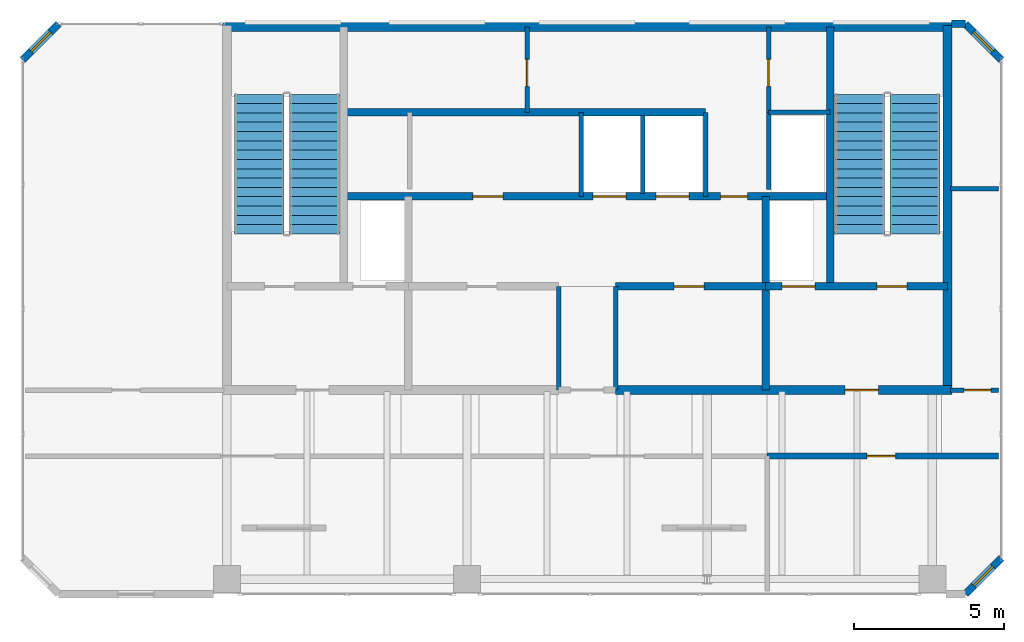
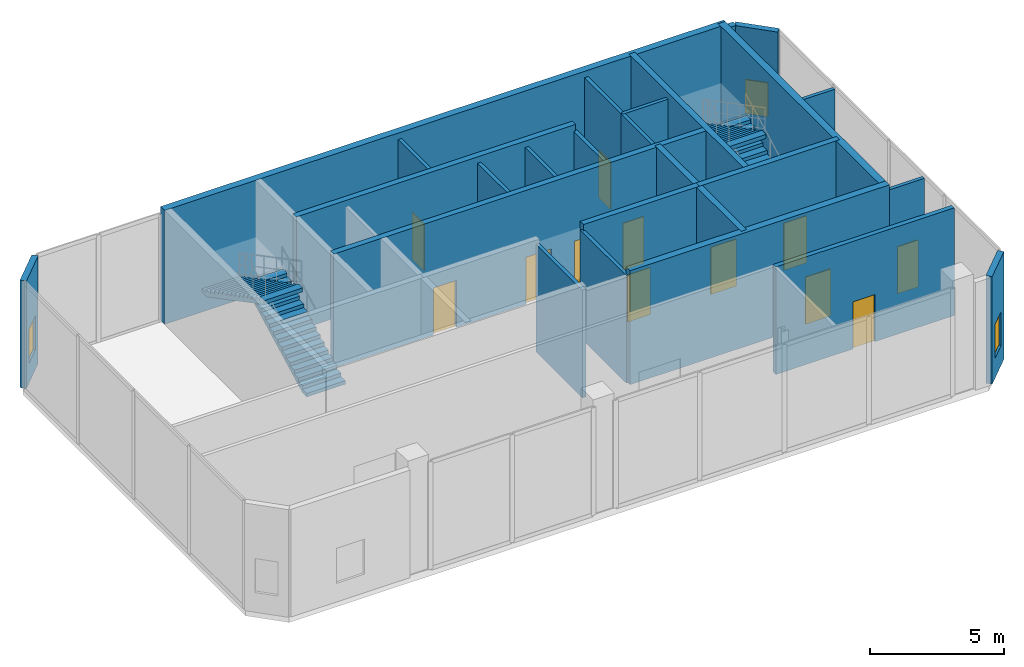
# One storey, part 9 of 10: 25 walls, 12 doors, 4 stair flights, 3 windows, 15 openings, 2 elements without a shape of their own.
"""IFC4 building model written with IfcOpenShell, lengths in metres."""

from ifc_helpers import new_model, si_unit, direction, frame, frame_2d, origin, place, context, subcontext, project, spatial, polyline, rectangle, outline, extrude, material, layer, layer_set, type_object, element, fill, aggregate, save


model = new_model("IFC4")

# Units and contexts
model_context = context("Model", 3, precision=1e-05, world=origin(), true_north=direction((0.0, 1.0)))
body_context = subcontext(model_context, "Body", "Model", "MODEL_VIEW")
ifc_project = project(units=[si_unit("LENGTHUNIT", "METRE"), si_unit("AREAUNIT", "SQUARE_METRE"), si_unit("VOLUMEUNIT", "CUBIC_METRE"), si_unit("PLANEANGLEUNIT", "RADIAN"), si_unit("MASSUNIT", "GRAM", prefix="KILO")], contexts=[model_context])

# Site, building, storey
site_placement = place(None, origin())
site = spatial("IfcSite", under=ifc_project, at=site_placement, CompositionType="ELEMENT")
building_placement = place(site_placement, origin())
building = spatial("IfcBuilding", under=site, at=building_placement, Name="Catumbela Crestline Tower", CompositionType="ELEMENT")
storey_placement = place(building_placement, frame((0.0, 0.0, 295.8)))
storey = spatial("IfcBuildingStorey", under=building, at=storey_placement, Name="L76", CompositionType="ELEMENT", Elevation=295.8)

# Walls
ifc_material_1 = material(Name="Concrete C50/60", Category="concrete")
ifc_layer_1 = layer(ifc_material_1, 0.25, Name="Concrete C50/60")
ifc_layer_set_1 = layer_set([ifc_layer_1], Name="Concrete C50/60")
wall_type_1 = type_object("IfcWallType", Name="CW-250D", PredefinedType="SHEAR", material=ifc_layer_set_1)
wall_1_placement = place(storey_placement, frame((36.1, 34.25, 0.0), z_axis=(0.0, 0.0, 1.0), x_axis=(0.0, 1.0, 0.0)))
element("IfcWall", 1, at=wall_1_placement, inside=storey, type_object=wall_type_1, Name="L76 Structural Core Shear Wall EWEB", PredefinedType="SHEAR", context=body_context, shape_type="SweptSolid", body=[
    extrude(rectangle(XDim=8.65, YDim=0.25, at=frame_2d((4.325, 0.0))), origin(), (0.0, 0.0, 1.0), 5.2),
])
wall_2_placement = place(storey_placement, frame((33.95, 30.8, 0.0), z_axis=(0.0, 0.0, 1.0), x_axis=(0.0, 1.0, 0.0)))
element("IfcWall", 2, at=wall_2_placement, inside=storey, type_object=wall_type_1, Name="L76 Structural Core Shear Wall FFE", PredefinedType="SHEAR", context=body_context, shape_type="SweptSolid", body=[
    extrude(rectangle(XDim=6.45, YDim=0.25, at=frame_2d((3.225, 0.0))), origin(), (0.0, 0.0, 1.0), 5.2),
])

# Wall, openings, doors
wall_3_placement = place(storey_placement, frame((33.95, 34.25, 0.0), z_axis=(0.0, 0.0, 1.0), x_axis=(1.0, 0.0, 0.0)))
wall_3 = element("IfcWall", 3, at=wall_3_placement, inside=storey, type_object=wall_type_1, Name="L76 Structural Core Shear Wall ST2S", PredefinedType="SHEAR", context=body_context, shape_type="SweptSolid", body=[
    extrude(rectangle(XDim=6.05, YDim=0.25, at=frame_2d((3.025, 0.0))), origin(), (0.0, 0.0, 1.0), 5.2),
])
opening_1_placement = place(wall_3_placement, frame((3.7, 0.0, 0.0)))
opening_1 = element("IfcOpeningElement", 4, at=opening_1_placement, cuts=wall_3, Name="Opening DF9-100", PredefinedType="OPENING", context=body_context, shape_type="SweptSolid", body=[
    extrude(rectangle(XDim=1.0, YDim=2.15, at=frame_2d((0.5, 1.075))), frame((0.0, 0.135, 0.0), z_axis=(0.0, -1.0, 0.0), x_axis=(1.0, 0.0, 0.0)), (0.0, 0.0, 1.0), 0.27),
])
opening_2_placement = place(wall_3_placement, frame((0.55, 0.0, 0.0)))
opening_2 = element("IfcOpeningElement", 5, at=opening_2_placement, cuts=wall_3, Name="Opening LD-110", PredefinedType="OPENING", context=body_context, shape_type="SweptSolid", body=[
    extrude(rectangle(XDim=1.1, YDim=2.15, at=frame_2d((0.55, 1.075))), frame((0.0, 0.135, 0.0), z_axis=(0.0, -1.0, 0.0), x_axis=(1.0, 0.0, 0.0)), (0.0, 0.0, 1.0), 0.27),
])
ifc_material_2 = material(Name="Stainless steel EN 1.4401", Category="steel")
door_type_1 = type_object("IfcDoorType", Name="DF9-100", OperationType="NOTDEFINED", PredefinedType="DOOR", material=ifc_material_2)
door_1_placement = place(opening_1_placement, origin())
door_1 = element("IfcDoor", 6, at=door_1_placement, inside=storey, type_object=door_type_1, Name="L76 Interior Door DR-L76-ST02", OperationType="SINGLE_SWING_RIGHT", OverallHeight=2.15, OverallWidth=1.0, PredefinedType="DOOR", context=body_context, shape_type="SweptSolid", body=[
    extrude(rectangle(XDim=1.0, YDim=2.15, at=frame_2d((0.5, 1.075))), frame((0.0, 0.025, 0.0), z_axis=(0.0, -1.0, 0.0), x_axis=(1.0, 0.0, 0.0)), (0.0, 0.0, 1.0), 0.05),
])
fill(opening_1, door_1)
door_type_2 = type_object("IfcDoorType", Name="LD-110", OperationType="NOTDEFINED", PredefinedType="DOOR", material=ifc_material_2)
door_2_placement = place(opening_2_placement, origin())
door_2 = element("IfcDoor", 7, at=door_2_placement, inside=storey, type_object=door_type_2, Name="L76 Lift Landing Sliding Door FL-02", OperationType="DOUBLE_DOOR_SLIDING", OverallHeight=2.15, OverallWidth=1.1, PredefinedType="DOOR", context=body_context, shape_type="SweptSolid", body=[
    extrude(rectangle(XDim=1.1, YDim=2.15, at=frame_2d((0.55, 1.075))), frame((0.0, 0.025, 0.0), z_axis=(0.0, -1.0, 0.0), x_axis=(1.0, 0.0, 0.0)), (0.0, 0.0, 1.0), 0.05),
])
fill(opening_2, door_2)

# Wall, opening, door
wall_4_placement = place(storey_placement, frame((28.95, 34.25, 0.0), z_axis=(0.0, 0.0, 1.0), x_axis=(1.0, 0.0, 0.0)))
wall_4 = element("IfcWall", 8, at=wall_4_placement, inside=storey, type_object=wall_type_1, Name="L76 Structural Core Shear Wall LIFTS-E", PredefinedType="SHEAR", context=body_context, shape_type="SweptSolid", body=[
    extrude(rectangle(XDim=5.0, YDim=0.25, at=frame_2d((2.5, 0.0))), origin(), (0.0, 0.0, 1.0), 5.2),
])
opening_3_placement = place(wall_4_placement, frame((1.95, 0.0, 0.0)))
opening_3 = element("IfcOpeningElement", 9, at=opening_3_placement, cuts=wall_4, Name="Opening DF9-100", PredefinedType="OPENING", context=body_context, shape_type="SweptSolid", body=[
    extrude(rectangle(XDim=1.0, YDim=2.15, at=frame_2d((0.5, 1.075))), frame((0.0, 0.135, 0.0), z_axis=(0.0, -1.0, 0.0), x_axis=(1.0, 0.0, 0.0)), (0.0, 0.0, 1.0), 0.27),
])
door_3_placement = place(opening_3_placement, origin())
door_3 = element("IfcDoor", 10, at=door_3_placement, inside=storey, type_object=door_type_1, Name="L76 Interior Door DR-L76-RECL2", OperationType="SINGLE_SWING_RIGHT", OverallHeight=2.15, OverallWidth=1.0, PredefinedType="DOOR", context=body_context, shape_type="SweptSolid", body=[
    extrude(rectangle(XDim=1.0, YDim=2.15, at=frame_2d((0.5, 1.075))), frame((0.0, 0.025, 0.0), z_axis=(0.0, -1.0, 0.0), x_axis=(1.0, 0.0, 0.0)), (0.0, 0.0, 1.0), 0.05),
])
fill(opening_3, door_3)

# Wall, openings, doors
wall_5_placement = place(storey_placement, frame((19.9, 37.25, 0.0), z_axis=(0.0, 0.0, 1.0), x_axis=(1.0, 0.0, 0.0)))
wall_5 = element("IfcWall", 11, at=wall_5_placement, inside=storey, type_object=wall_type_1, Name="L76 Structural Core Shear Wall LIFTN", PredefinedType="SHEAR", context=body_context, shape_type="SweptSolid", body=[
    extrude(rectangle(XDim=16.2, YDim=0.25, at=frame_2d((8.1, 0.0))), origin(), (0.0, 0.0, 1.0), 5.2),
])
opening_4_placement = place(wall_5_placement, frame((4.3, 0.0, 0.0)))
opening_4 = element("IfcOpeningElement", 12, at=opening_4_placement, cuts=wall_5, Name="Opening DF9-100", PredefinedType="OPENING", context=body_context, shape_type="SweptSolid", body=[
    extrude(rectangle(XDim=1.0, YDim=2.15, at=frame_2d((0.5, 1.075))), frame((0.0, 0.135, 0.0), z_axis=(0.0, -1.0, 0.0), x_axis=(1.0, 0.0, 0.0)), (0.0, 0.0, 1.0), 0.27),
])
opening_5_placement = place(wall_5_placement, frame((12.55, 0.0, 0.0)))
opening_5 = element("IfcOpeningElement", 13, at=opening_5_placement, cuts=wall_5, Name="Opening DF9-090", PredefinedType="OPENING", context=body_context, shape_type="SweptSolid", body=[
    extrude(rectangle(XDim=0.9, YDim=2.15, at=frame_2d((0.45, 1.075))), frame((0.0, 0.135, 0.0), z_axis=(0.0, -1.0, 0.0), x_axis=(1.0, 0.0, 0.0)), (0.0, 0.0, 1.0), 0.27),
])
opening_6_placement = place(wall_5_placement, frame((8.3, 0.0, 0.0)))
opening_6 = element("IfcOpeningElement", 14, at=opening_6_placement, cuts=wall_5, Name="Opening LD-110", PredefinedType="OPENING", context=body_context, shape_type="SweptSolid", body=[
    extrude(rectangle(XDim=1.1, YDim=2.15, at=frame_2d((0.55, 1.075))), frame((0.0, 0.135, 0.0), z_axis=(0.0, -1.0, 0.0), x_axis=(1.0, 0.0, 0.0)), (0.0, 0.0, 1.0), 0.27),
])
opening_7_placement = place(wall_5_placement, frame((10.4, 0.0, 0.0)))
opening_7 = element("IfcOpeningElement", 15, at=opening_7_placement, cuts=wall_5, Name="Opening LD-110", PredefinedType="OPENING", context=body_context, shape_type="SweptSolid", body=[
    extrude(rectangle(XDim=1.1, YDim=2.15, at=frame_2d((0.55, 1.075))), frame((0.0, 0.135, 0.0), z_axis=(0.0, -1.0, 0.0), x_axis=(1.0, 0.0, 0.0)), (0.0, 0.0, 1.0), 0.27),
])
door_type_3 = type_object("IfcDoorType", Name="DF9-090", OperationType="NOTDEFINED", PredefinedType="DOOR", material=ifc_material_2)
door_4_placement = place(opening_5_placement, origin())
door_4 = element("IfcDoor", 16, at=door_4_placement, inside=storey, type_object=door_type_3, Name="L76 Interior Door DR-L76-CPAS1", OperationType="SINGLE_SWING_LEFT", OverallHeight=2.15, OverallWidth=0.9, PredefinedType="DOOR", context=body_context, shape_type="SweptSolid", body=[
    extrude(rectangle(XDim=0.9, YDim=2.15, at=frame_2d((0.45, 1.075))), frame((0.0, 0.025, 0.0), z_axis=(0.0, -1.0, 0.0), x_axis=(1.0, 0.0, 0.0)), (0.0, 0.0, 1.0), 0.05),
])
fill(opening_5, door_4)
door_5_placement = place(opening_4_placement, origin())
door_5 = element("IfcDoor", 17, at=door_5_placement, inside=storey, type_object=door_type_1, Name="L76 Interior Door DR-L76-RECL3", OperationType="SINGLE_SWING_LEFT", OverallHeight=2.15, OverallWidth=1.0, PredefinedType="DOOR", context=body_context, shape_type="SweptSolid", body=[
    extrude(rectangle(XDim=1.0, YDim=2.15, at=frame_2d((0.5, 1.075))), frame((0.0, 0.025, 0.0), z_axis=(0.0, -1.0, 0.0), x_axis=(1.0, 0.0, 0.0)), (0.0, 0.0, 1.0), 0.05),
])
fill(opening_4, door_5)
door_6_placement = place(opening_6_placement, origin())
door_6 = element("IfcDoor", 18, at=door_6_placement, inside=storey, type_object=door_type_2, Name="L76 Lift Landing Sliding Door PL-EX1", OperationType="DOUBLE_DOOR_SLIDING", OverallHeight=2.15, OverallWidth=1.1, PredefinedType="DOOR", context=body_context, shape_type="SweptSolid", body=[
    extrude(rectangle(XDim=1.1, YDim=2.15, at=frame_2d((0.55, 1.075))), frame((0.0, 0.025, 0.0), z_axis=(0.0, -1.0, 0.0), x_axis=(1.0, 0.0, 0.0)), (0.0, 0.0, 1.0), 0.05),
])
fill(opening_6, door_6)
door_7_placement = place(opening_7_placement, origin())
door_7 = element("IfcDoor", 19, at=door_7_placement, inside=storey, type_object=door_type_2, Name="L76 Lift Landing Sliding Door PL-EX2", OperationType="DOUBLE_DOOR_SLIDING", OverallHeight=2.15, OverallWidth=1.1, PredefinedType="DOOR", context=body_context, shape_type="SweptSolid", body=[
    extrude(rectangle(XDim=1.1, YDim=2.15, at=frame_2d((0.55, 1.075))), frame((0.0, 0.025, 0.0), z_axis=(0.0, -1.0, 0.0), x_axis=(1.0, 0.0, 0.0)), (0.0, 0.0, 1.0), 0.05),
])
fill(opening_7, door_7)

# Walls
wall_6_placement = place(storey_placement, frame((19.9, 40.05, 0.0), z_axis=(0.0, 0.0, 1.0), x_axis=(1.0, 0.0, 0.0)))
element("IfcWall", 20, at=wall_6_placement, inside=storey, type_object=wall_type_1, Name="L76 Structural Core Shear Wall COREN", PredefinedType="SHEAR", context=body_context, shape_type="SweptSolid", body=[
    extrude(rectangle(XDim=12.05, YDim=0.25, at=frame_2d((6.025, 0.0))), origin(), (0.0, 0.0, 1.0), 5.2),
])
ifc_material_3 = material(Name="Concrete C45/55", Category="concrete")
ifc_layer_2 = layer(ifc_material_3, 0.3, Name="Concrete C45/55")
ifc_layer_set_2 = layer_set([ifc_layer_2], Name="Concrete C45/55")
wall_type_2 = type_object("IfcWallType", Name="CW-300C", PredefinedType="SHEAR", material=ifc_layer_set_2)
wall_7_placement = place(storey_placement, frame((40.0, 30.65, 0.0), z_axis=(0.0, 0.0, 1.0), x_axis=(0.0, 1.0, 0.0)))
element("IfcWall", 21, at=wall_7_placement, inside=storey, type_object=wall_type_2, Name="L76 Structural Core Shear Wall E", PredefinedType="SHEAR", context=body_context, shape_type="SweptSolid", body=[
    extrude(rectangle(XDim=12.3, YDim=0.3, at=frame_2d((6.15, 0.0))), origin(), (0.0, 0.0, 1.0), 5.2),
])

# Wall, opening, door
wall_8_placement = place(storey_placement, frame((28.95, 30.8, 0.0), z_axis=(0.0, 0.0, 1.0), x_axis=(1.0, 0.0, 0.0)))
wall_8 = element("IfcWall", 22, at=wall_8_placement, inside=storey, type_object=wall_type_2, Name="L76 Structural Core Shear Wall SE", PredefinedType="SHEAR", context=body_context, shape_type="SweptSolid", body=[
    extrude(rectangle(XDim=11.2, YDim=0.3, at=frame_2d((5.6, 0.0))), origin(), (0.0, 0.0, 1.0), 5.2),
])
opening_8_placement = place(wall_8_placement, frame((7.65, 0.0, 0.0)))
opening_8 = element("IfcOpeningElement", 23, at=opening_8_placement, cuts=wall_8, Name="Opening DF9-110", PredefinedType="OPENING", context=body_context, shape_type="SweptSolid", body=[
    extrude(rectangle(XDim=1.1, YDim=2.15, at=frame_2d((0.55, 1.075))), frame((0.0, 0.16, 0.0), z_axis=(0.0, -1.0, 0.0), x_axis=(1.0, 0.0, 0.0)), (0.0, 0.0, 1.0), 0.32),
])
door_type_4 = type_object("IfcDoorType", Name="DF9-110", OperationType="NOTDEFINED", PredefinedType="DOOR", material=ifc_material_2)
door_8_placement = place(opening_8_placement, origin())
door_8 = element("IfcDoor", 24, at=door_8_placement, inside=storey, type_object=door_type_4, Name="L76 Interior Door DR-L76-FFE-S", OperationType="SINGLE_SWING_RIGHT", OverallHeight=2.15, OverallWidth=1.1, PredefinedType="DOOR", context=body_context, shape_type="SweptSolid", body=[
    extrude(rectangle(XDim=1.1, YDim=2.15, at=frame_2d((0.55, 1.075))), frame((0.0, 0.025, 0.0), z_axis=(0.0, -1.0, 0.0), x_axis=(1.0, 0.0, 0.0)), (0.0, 0.0, 1.0), 0.05),
])
fill(opening_8, door_8)

# Wall
ifc_layer_3 = layer(ifc_material_3, 0.3, Name="Concrete C45/55")
ifc_layer_set_3 = layer_set([ifc_layer_3], Name="Concrete C45/55")
wall_type_3 = type_object("IfcWallType", Name="CW-300E", PredefinedType="SHEAR", material=ifc_layer_set_3)
wall_9_placement = place(storey_placement, frame((15.85, 42.9, 0.0), z_axis=(0.0, 0.0, 1.0), x_axis=(1.0, 0.0, 0.0)))
element("IfcWall", 25, at=wall_9_placement, inside=storey, type_object=wall_type_3, Name="L76 Structural Core Shear Wall N", PredefinedType="SHEAR", context=body_context, shape_type="SweptSolid", body=[
    extrude(rectangle(XDim=24.3, YDim=0.3, at=frame_2d((12.15, 0.0))), origin(), (0.0, 0.0, 1.0), 5.2),
])

# Wall, opening, door
ifc_material_4 = material(Name="Acoustic gypsum and mineral-wool partition")
ifc_layer_4 = layer(ifc_material_4, 0.2, Name="Acoustic gypsum and mineral-wool partition")
ifc_layer_set_4 = layer_set([ifc_layer_4], Name="Acoustic gypsum and mineral-wool partition")
wall_type_4 = type_object("IfcWallType", Name="WC-200", PredefinedType="PARTITIONING", material=ifc_layer_set_4)
wall_10_placement = place(storey_placement, frame((34.0, 28.6, 0.0), z_axis=(0.0, 0.0, 1.0), x_axis=(1.0, 0.0, 0.0)))
wall_10 = element("IfcWall", 26, at=wall_10_placement, inside=storey, type_object=wall_type_4, Name="L76 Interior Partition PW-L76-SKIT", PredefinedType="PARTITIONING", context=body_context, shape_type="SweptSolid", body=[
    extrude(rectangle(XDim=7.7, YDim=0.2, at=frame_2d((3.85, 0.0))), origin(), (0.0, 0.0, 1.0), 4.91),
])
opening_9_placement = place(wall_10_placement, frame((3.325, 0.0, 0.0)))
opening_9 = element("IfcOpeningElement", 27, at=opening_9_placement, cuts=wall_10, Name="Opening DF6-095", PredefinedType="OPENING", context=body_context, shape_type="SweptSolid", body=[
    extrude(rectangle(XDim=0.95, YDim=2.15, at=frame_2d((0.475, 1.075))), frame((0.0, 0.11, 0.0), z_axis=(0.0, -1.0, 0.0), x_axis=(1.0, 0.0, 0.0)), (0.0, 0.0, 1.0), 0.22),
])
ifc_material_5 = material(Name="Aluminium alloy AW-6060-T66", Category="aluminium")
door_type_5 = type_object("IfcDoorType", Name="DF6-095", OperationType="NOTDEFINED", PredefinedType="DOOR", material=ifc_material_5)
door_9_placement = place(opening_9_placement, origin())
door_9 = element("IfcDoor", 28, at=door_9_placement, inside=storey, type_object=door_type_5, Name="L76 Interior Door DR-L76-SKIT", OperationType="SINGLE_SWING_LEFT", OverallHeight=2.15, OverallWidth=0.95, PredefinedType="DOOR", context=body_context, shape_type="SweptSolid", body=[
    extrude(rectangle(XDim=0.95, YDim=2.15, at=frame_2d((0.475, 1.075))), frame((0.0, 0.025, 0.0), z_axis=(0.0, -1.0, 0.0), x_axis=(1.0, 0.0, 0.0)), (0.0, 0.0, 1.0), 0.05),
])
fill(opening_9, door_9)

# Wall, opening, window
ifc_material_6 = material(Name="Angolan grey-ochre granite", Category="masonry")
ifc_layer_5 = layer(ifc_material_6, 0.25, Name="Angolan grey-ochre granite")
ifc_layer_set_5 = layer_set([ifc_layer_5], Name="Angolan grey-ochre granite")
wall_type_5 = type_object("IfcWallType", Name="WE-250", PredefinedType="STANDARD", material=ifc_layer_set_5)
wall_11_placement = place(storey_placement, frame((40.6, 24.0, 0.0), z_axis=(0.0, 0.0, 1.0), x_axis=(0.707106781187, 0.707106781187, 0.0)))
wall_11 = element("IfcWall", 29, at=wall_11_placement, inside=storey, type_object=wall_type_5, Name="L76 Granite Punched Window Wall 1-1", PredefinedType="STANDARD", context=body_context, shape_type="SweptSolid", body=[
    extrude(rectangle(XDim=1.6971, YDim=0.25, at=frame_2d((0.8486, 0.0))), origin(), (0.0, 0.0, 1.0), 4.91),
])
opening_10_placement = place(wall_11_placement, frame((0.3986, 0.0, 0.9)))
opening_10 = element("IfcOpeningElement", 30, at=opening_10_placement, cuts=wall_11, Name="Opening WN-03", PredefinedType="OPENING", context=body_context, shape_type="SweptSolid", body=[
    extrude(rectangle(XDim=0.9, YDim=1.55, at=frame_2d((0.45, 0.775))), frame((0.0, 0.135, 0.0), z_axis=(0.0, -1.0, 0.0), x_axis=(1.0, 0.0, 0.0)), (0.0, 0.0, 1.0), 0.27),
])
ifc_material_7 = material(Name="Low-E laminated solar-control double glazing", Category="glass")
window_type = type_object("IfcWindowType", Name="WO-0900", PartitioningType="SINGLE_PANEL", PredefinedType="WINDOW", material=ifc_material_7)
window_1_placement = place(opening_10_placement, origin())
window_1 = element("IfcWindow", 31, at=window_1_placement, inside=storey, type_object=window_type, Name="L76 Facade Vision Window 623", OverallHeight=1.55, OverallWidth=0.9, PartitioningType="SINGLE_PANEL", PredefinedType="WINDOW", context=body_context, shape_type="SweptSolid", body=[
    extrude(rectangle(XDim=0.9, YDim=1.55, at=frame_2d((0.45, 0.775))), frame((0.0, 0.03, 0.0), z_axis=(0.0, -1.0, 0.0), x_axis=(1.0, 0.0, 0.0)), (0.0, 0.0, 1.0), 0.06),
])
fill(opening_10, window_1)

wall_12_placement = place(storey_placement, frame((41.8, 41.8, 0.0), z_axis=(0.0, 0.0, 1.0), x_axis=(-0.707106781187, 0.707106781187, 0.0)))
wall_12 = element("IfcWall", 32, at=wall_12_placement, inside=storey, type_object=wall_type_5, Name="L76 Granite Punched Window Wall 3-1", PredefinedType="STANDARD", context=body_context, shape_type="SweptSolid", body=[
    extrude(rectangle(XDim=1.6971, YDim=0.25, at=frame_2d((0.8486, 0.0))), origin(), (0.0, 0.0, 1.0), 4.91),
])
opening_11_placement = place(wall_12_placement, frame((0.3986, 0.0, 0.9)))
opening_11 = element("IfcOpeningElement", 33, at=opening_11_placement, cuts=wall_12, Name="Opening WN-03", PredefinedType="OPENING", context=body_context, shape_type="SweptSolid", body=[
    extrude(rectangle(XDim=0.9, YDim=1.55, at=frame_2d((0.45, 0.775))), frame((0.0, 0.135, 0.0), z_axis=(0.0, -1.0, 0.0), x_axis=(1.0, 0.0, 0.0)), (0.0, 0.0, 1.0), 0.27),
])
window_2_placement = place(opening_11_placement, origin())
window_2 = element("IfcWindow", 34, at=window_2_placement, inside=storey, type_object=window_type, Name="L76 Facade Vision Window 624", OverallHeight=1.55, OverallWidth=0.9, PartitioningType="SINGLE_PANEL", PredefinedType="WINDOW", context=body_context, shape_type="SweptSolid", body=[
    extrude(rectangle(XDim=0.9, YDim=1.55, at=frame_2d((0.45, 0.775))), frame((0.0, 0.03, 0.0), z_axis=(0.0, -1.0, 0.0), x_axis=(1.0, 0.0, 0.0)), (0.0, 0.0, 1.0), 0.06),
])
fill(opening_11, window_2)

# Wall
wall_13_placement = place(storey_placement, frame((40.6, 43.0, 0.0), z_axis=(0.0, 0.0, 1.0), x_axis=(-1.0, 0.0, 0.0)))
element("IfcWall", 35, at=wall_13_placement, inside=storey, type_object=wall_type_5, Name="L76 Granite Punched Window Wall 4-1", PredefinedType="STANDARD", context=body_context, shape_type="SweptSolid", body=[
    extrude(rectangle(XDim=0.46, YDim=0.25, at=frame_2d((0.23, 0.0))), origin(), (0.0, 0.0, 1.0), 4.91),
])

# Wall, opening, window
wall_14_placement = place(storey_placement, frame((10.4, 43.0, 0.0), z_axis=(0.0, 0.0, 1.0), x_axis=(-0.707106781187, -0.707106781187, 0.0)))
wall_14 = element("IfcWall", 36, at=wall_14_placement, inside=storey, type_object=wall_type_5, Name="L76 Granite Punched Window Wall 5-1", PredefinedType="STANDARD", context=body_context, shape_type="SweptSolid", body=[
    extrude(rectangle(XDim=1.6971, YDim=0.25, at=frame_2d((0.8486, 0.0))), origin(), (0.0, 0.0, 1.0), 4.91),
])
opening_12_placement = place(wall_14_placement, frame((0.3986, 0.0, 0.9)))
opening_12 = element("IfcOpeningElement", 37, at=opening_12_placement, cuts=wall_14, Name="Opening WN-03", PredefinedType="OPENING", context=body_context, shape_type="SweptSolid", body=[
    extrude(rectangle(XDim=0.9, YDim=1.55, at=frame_2d((0.45, 0.775))), frame((0.0, 0.135, 0.0), z_axis=(0.0, -1.0, 0.0), x_axis=(1.0, 0.0, 0.0)), (0.0, 0.0, 1.0), 0.27),
])
window_3_placement = place(opening_12_placement, origin())
window_3 = element("IfcWindow", 38, at=window_3_placement, inside=storey, type_object=window_type, Name="L76 Facade Vision Window 625", OverallHeight=1.55, OverallWidth=0.9, PartitioningType="SINGLE_PANEL", PredefinedType="WINDOW", context=body_context, shape_type="SweptSolid", body=[
    extrude(rectangle(XDim=0.9, YDim=1.55, at=frame_2d((0.45, 0.775))), frame((0.0, 0.03, 0.0), z_axis=(0.0, -1.0, 0.0), x_axis=(1.0, 0.0, 0.0)), (0.0, 0.0, 1.0), 0.06),
])
fill(opening_12, window_3)

# Wall
ifc_layer_6 = layer(ifc_material_4, 0.15, Name="Acoustic gypsum and mineral-wool partition")
ifc_layer_set_6 = layer_set([ifc_layer_6], Name="Acoustic gypsum and mineral-wool partition")
wall_type_6 = type_object("IfcWallType", Name="WP-150", PredefinedType="PARTITIONING", material=ifc_layer_set_6)
wall_15_placement = place(storey_placement, frame((34.05, 40.05, 0.0), z_axis=(0.0, 0.0, 1.0), x_axis=(1.0, 0.0, 0.0)))
element("IfcWall", 39, at=wall_15_placement, inside=storey, type_object=wall_type_6, Name="L76 Interior Partition PW-L76-CR-ES", PredefinedType="PARTITIONING", context=body_context, shape_type="SweptSolid", body=[
    extrude(rectangle(XDim=2.05, YDim=0.15, at=frame_2d((1.025, 0.0))), origin(), (0.0, 0.0, 1.0), 4.91),
])

# Wall, opening, door
wall_16_placement = place(storey_placement, frame((34.05, 40.05, 0.0), z_axis=(0.0, 0.0, 1.0), x_axis=(0.0, 1.0, 0.0)))
wall_16 = element("IfcWall", 40, at=wall_16_placement, inside=storey, type_object=wall_type_6, Name="L76 Interior Partition PW-L76-CR-EW", PredefinedType="PARTITIONING", context=body_context, shape_type="SweptSolid", body=[
    extrude(rectangle(XDim=2.85, YDim=0.15, at=frame_2d((1.425, 0.0))), origin(), (0.0, 0.0, 1.0), 4.91),
])
opening_13_placement = place(wall_16_placement, frame((0.865, 0.0, 0.0)))
opening_13 = element("IfcOpeningElement", 41, at=opening_13_placement, cuts=wall_16, Name="Opening DF9-090", PredefinedType="OPENING", context=body_context, shape_type="SweptSolid", body=[
    extrude(rectangle(XDim=0.9, YDim=2.15, at=frame_2d((0.45, 1.075))), frame((0.0, 0.085, 0.0), z_axis=(0.0, -1.0, 0.0), x_axis=(1.0, 0.0, 0.0)), (0.0, 0.0, 1.0), 0.17),
])
door_10_placement = place(opening_13_placement, origin())
door_10 = element("IfcDoor", 42, at=door_10_placement, inside=storey, type_object=door_type_3, Name="L76 Interior Door DR-L76-CREAST", OperationType="SINGLE_SWING_RIGHT", OverallHeight=2.15, OverallWidth=0.9, PredefinedType="DOOR", context=body_context, shape_type="SweptSolid", body=[
    extrude(rectangle(XDim=0.9, YDim=2.15, at=frame_2d((0.45, 1.075))), frame((0.0, 0.025, 0.0), z_axis=(0.0, -1.0, 0.0), x_axis=(1.0, 0.0, 0.0)), (0.0, 0.0, 1.0), 0.05),
])
fill(opening_13, door_10)

wall_17_placement = place(storey_placement, frame((26.0, 40.05, 0.0), z_axis=(0.0, 0.0, 1.0), x_axis=(0.0, 1.0, 0.0)))
wall_17 = element("IfcWall", 43, at=wall_17_placement, inside=storey, type_object=wall_type_6, Name="L76 Interior Partition PW-L76-CR-WW", PredefinedType="PARTITIONING", context=body_context, shape_type="SweptSolid", body=[
    extrude(rectangle(XDim=2.85, YDim=0.15, at=frame_2d((1.425, 0.0))), origin(), (0.0, 0.0, 1.0), 4.91),
])
opening_14_placement = place(wall_17_placement, frame((0.865, 0.0, 0.0)))
opening_14 = element("IfcOpeningElement", 44, at=opening_14_placement, cuts=wall_17, Name="Opening DF9-090", PredefinedType="OPENING", context=body_context, shape_type="SweptSolid", body=[
    extrude(rectangle(XDim=0.9, YDim=2.15, at=frame_2d((0.45, 1.075))), frame((0.0, 0.085, 0.0), z_axis=(0.0, -1.0, 0.0), x_axis=(1.0, 0.0, 0.0)), (0.0, 0.0, 1.0), 0.17),
])
door_11_placement = place(opening_14_placement, origin())
door_11 = element("IfcDoor", 45, at=door_11_placement, inside=storey, type_object=door_type_3, Name="L76 Interior Door DR-L76-CRWEST", OperationType="SINGLE_SWING_LEFT", OverallHeight=2.15, OverallWidth=0.9, PredefinedType="DOOR", context=body_context, shape_type="SweptSolid", body=[
    extrude(rectangle(XDim=0.9, YDim=2.15, at=frame_2d((0.45, 1.075))), frame((0.0, 0.025, 0.0), z_axis=(0.0, -1.0, 0.0), x_axis=(1.0, 0.0, 0.0)), (0.0, 0.0, 1.0), 0.05),
])
fill(opening_14, door_11)

wall_18_placement = place(storey_placement, frame((40.1, 30.8, 0.0), z_axis=(0.0, 0.0, 1.0), x_axis=(1.0, 0.0, 0.0)))
wall_18 = element("IfcWall", 46, at=wall_18_placement, inside=storey, type_object=wall_type_6, Name="L76 Interior Partition PW-L76-WC", PredefinedType="PARTITIONING", context=body_context, shape_type="SweptSolid", body=[
    extrude(rectangle(XDim=1.6, YDim=0.15, at=frame_2d((0.8, 0.0))), origin(), (0.0, 0.0, 1.0), 4.91),
])
opening_15_placement = place(wall_18_placement, frame((0.46, 0.0, 0.0)))
opening_15 = element("IfcOpeningElement", 47, at=opening_15_placement, cuts=wall_18, Name="Opening DI-090", PredefinedType="OPENING", context=body_context, shape_type="SweptSolid", body=[
    extrude(rectangle(XDim=0.9, YDim=2.15, at=frame_2d((0.45, 1.075))), frame((0.0, 0.085, 0.0), z_axis=(0.0, -1.0, 0.0), x_axis=(1.0, 0.0, 0.0)), (0.0, 0.0, 1.0), 0.17),
])
door_type_6 = type_object("IfcDoorType", Name="DI-090", OperationType="NOTDEFINED", PredefinedType="DOOR", material=ifc_material_5)
door_12_placement = place(opening_15_placement, origin())
door_12 = element("IfcDoor", 48, at=door_12_placement, inside=storey, type_object=door_type_6, Name="L76 Interior Door DR-L76-AWC", OperationType="SINGLE_SWING_RIGHT", OverallHeight=2.15, OverallWidth=0.9, PredefinedType="DOOR", context=body_context, shape_type="SweptSolid", body=[
    extrude(rectangle(XDim=0.9, YDim=2.15, at=frame_2d((0.45, 1.075))), frame((0.0, 0.025, 0.0), z_axis=(0.0, -1.0, 0.0), x_axis=(1.0, 0.0, 0.0)), (0.0, 0.0, 1.0), 0.05),
])
fill(opening_15, door_12)

# Walls
wall_19_placement = place(storey_placement, frame((40.1, 37.5, 0.0), z_axis=(0.0, 0.0, 1.0), x_axis=(1.0, 0.0, 0.0)))
element("IfcWall", 49, at=wall_19_placement, inside=storey, type_object=wall_type_6, Name="L76 Interior Partition PW-L76-WCN", PredefinedType="PARTITIONING", context=body_context, shape_type="SweptSolid", body=[
    extrude(rectangle(XDim=1.6, YDim=0.15, at=frame_2d((0.8, 0.0))), origin(), (0.0, 0.0, 1.0), 4.91),
])
ifc_layer_7 = layer(ifc_material_4, 0.15, Name="Acoustic gypsum and mineral-wool partition")
ifc_layer_set_7 = layer_set([ifc_layer_7], Name="Acoustic gypsum and mineral-wool partition")
wall_type_7 = type_object("IfcWallType", Name="WS-150", PredefinedType="PLUMBINGWALL", material=ifc_layer_set_7)
for number, where, z_axis, x_axis, name in (
    (50, (27.05, 30.8, 0.0), (0.0, 0.0, 1.0), (0.0, 1.0, 0.0), "L76 Interior Partition PW-L76-THRW"),
    (51, (28.95, 30.8, 0.0), (0.0, 0.0, 1.0), (0.0, 1.0, 0.0), "L76 Interior Partition PW-L76-THRE"),
):
    element("IfcWall", number, at=place(storey_placement, frame(where, z_axis=z_axis, x_axis=x_axis)), inside=storey, type_object=wall_type_7, Name=name, PredefinedType="PLUMBINGWALL", context=body_context, shape_type="SweptSolid", body=[
        extrude(rectangle(XDim=3.45, YDim=0.15, at=frame_2d((1.725, 0.0))), origin(), (0.0, 0.0, 1.0), 4.91),
    ])
for number, where, z_axis, x_axis, name in (
    (52, (27.8, 37.25, 0.0), (0.0, 0.0, 1.0), (0.0, 1.0, 0.0), "L76 Interior Partition PW-L76-SHH3"),
    (53, (31.95, 37.25, 0.0), (0.0, 0.0, 1.0), (0.0, 1.0, 0.0), "L76 Interior Partition PW-L76-SHEX2E"),
):
    element("IfcWall", number, at=place(storey_placement, frame(where, z_axis=z_axis, x_axis=x_axis)), inside=storey, type_object=wall_type_7, Name=name, PredefinedType="PLUMBINGWALL", context=body_context, shape_type="SweptSolid", body=[
        extrude(rectangle(XDim=2.8, YDim=0.15, at=frame_2d((1.4, 0.0))), origin(), (0.0, 0.0, 1.0), 4.91),
    ])
wall_20_placement = place(storey_placement, frame((29.85, 37.35, 0.0), z_axis=(0.0, 0.0, 1.0), x_axis=(0.0, 1.0, 0.0)))
element("IfcWall", 54, at=wall_20_placement, inside=storey, type_object=wall_type_7, Name="L76 Interior Partition PW-L76-SHEX1", PredefinedType="PLUMBINGWALL", context=body_context, shape_type="SweptSolid", body=[
    extrude(rectangle(XDim=2.6, YDim=0.15, at=frame_2d((1.3, 0.0))), origin(), (0.0, 0.0, 1.0), 4.91),
])
wall_21_placement = place(storey_placement, frame((34.05, 37.4734, 0.0), z_axis=(0.0, 0.0, 1.0), x_axis=(0.0, 1.0, 0.0)))
element("IfcWall", 55, at=wall_21_placement, inside=storey, type_object=wall_type_7, Name="L76 Interior Partition PW-L76-RISW", PredefinedType="PLUMBINGWALL", context=body_context, shape_type="SweptSolid", body=[
    extrude(rectangle(XDim=2.5766, YDim=0.15, at=frame_2d((1.2883, 0.0))), origin(), (0.0, 0.0, 1.0), 4.91),
])

# Stair, stair flights
stair_type = type_object("IfcStairType", Name="ST-DLG", PredefinedType="HALF_TURN_STAIR", material=ifc_material_3)
stair_1_placement = place(storey_placement, origin())
stair_1 = element("IfcStair", 56, at=stair_1_placement, inside=storey, type_object=stair_type, Name="L76 West Core Pressurised Exit Stair ST-01", PredefinedType="HALF_TURN_STAIR")
stair_flight_type = type_object("IfcStairFlightType", Name="SF-1625", PredefinedType="STRAIGHT", material=ifc_material_3)
stair_flight_1_placement = place(storey_placement, frame((18.92, 36.0, 0.0), z_axis=(0.0, 0.0, 1.0), x_axis=(0.0, 1.0, 0.0)))
stair_flight_1 = element("IfcStairFlight", 57, at=stair_flight_1_placement, type_object=stair_flight_type, Name="ST-01 flight 1", NumberOfRisers=16, NumberOfTreads=15, PredefinedType="STRAIGHT", RiserHeight=0.1625, TreadLength=0.31, context=body_context, shape_type="SweptSolid", body=[
    extrude(outline(polyline([(0.0, 0.0), (0.0, 0.1625), (0.31, 0.1625), (0.31, 0.325), (0.62, 0.325), (0.62, 0.4875), (0.93, 0.4875), (0.93, 0.65), (1.24, 0.65), (1.24, 0.8125), (1.55, 0.8125), (1.55, 0.975), (1.86, 0.975), (1.86, 1.1375), (2.17, 1.1375), (2.17, 1.3), (2.48, 1.3), (2.48, 1.4625), (2.79, 1.4625), (2.79, 1.625), (3.1, 1.625), (3.1, 1.7875), (3.41, 1.7875), (3.41, 1.95), (3.72, 1.95), (3.72, 2.1125), (4.03, 2.1125), (4.03, 2.275), (4.34, 2.275), (4.34, 2.4375), (4.65, 2.4375), (4.65, 2.6), (4.65, 2.2569), (0.3446, 0.0), (0.0, 0.0)])), frame((0.0, 0.83, 0.0), z_axis=(0.0, -1.0, 0.0), x_axis=(1.0, 0.0, 0.0)), (0.0, 0.0, 1.0), 1.66),
])
stair_flight_2_placement = place(storey_placement, frame((17.08, 40.65, 2.6), z_axis=(0.0, 0.0, 1.0), x_axis=(0.0, -1.0, 0.0)))
stair_flight_2 = element("IfcStairFlight", 58, at=stair_flight_2_placement, type_object=stair_flight_type, Name="ST-01 flight 2", NumberOfRisers=16, NumberOfTreads=15, PredefinedType="STRAIGHT", RiserHeight=0.1625, TreadLength=0.31, context=body_context, shape_type="SweptSolid", body=[
    extrude(outline(polyline([(0.0, 0.0), (0.0, 0.1625), (0.31, 0.1625), (0.31, 0.325), (0.62, 0.325), (0.62, 0.4875), (0.93, 0.4875), (0.93, 0.65), (1.24, 0.65), (1.24, 0.8125), (1.55, 0.8125), (1.55, 0.975), (1.86, 0.975), (1.86, 1.1375), (2.17, 1.1375), (2.17, 1.3), (2.48, 1.3), (2.48, 1.4625), (2.79, 1.4625), (2.79, 1.625), (3.1, 1.625), (3.1, 1.7875), (3.41, 1.7875), (3.41, 1.95), (3.72, 1.95), (3.72, 2.1125), (4.03, 2.1125), (4.03, 2.275), (4.34, 2.275), (4.34, 2.4375), (4.65, 2.4375), (4.65, 2.6), (4.65, 2.2569), (0.3446, 0.0), (0.0, 0.0)])), frame((0.0, 0.83, 0.0), z_axis=(0.0, -1.0, 0.0), x_axis=(1.0, 0.0, 0.0)), (0.0, 0.0, 1.0), 1.66),
])
aggregate(stair_1, [stair_flight_1, stair_flight_2])

stair_2_placement = place(storey_placement, origin())
stair_2 = element("IfcStair", 59, at=stair_2_placement, inside=storey, type_object=stair_type, Name="L76 East Core Pressurised Exit Stair ST-02", PredefinedType="HALF_TURN_STAIR")
stair_flight_3_placement = place(storey_placement, frame((38.92, 36.0, 0.0), z_axis=(0.0, 0.0, 1.0), x_axis=(0.0, 1.0, 0.0)))
stair_flight_3 = element("IfcStairFlight", 60, at=stair_flight_3_placement, type_object=stair_flight_type, Name="ST-02 flight 1", NumberOfRisers=16, NumberOfTreads=15, PredefinedType="STRAIGHT", RiserHeight=0.1625, TreadLength=0.31, context=body_context, shape_type="SweptSolid", body=[
    extrude(outline(polyline([(0.0, 0.0), (0.0, 0.1625), (0.31, 0.1625), (0.31, 0.325), (0.62, 0.325), (0.62, 0.4875), (0.93, 0.4875), (0.93, 0.65), (1.24, 0.65), (1.24, 0.8125), (1.55, 0.8125), (1.55, 0.975), (1.86, 0.975), (1.86, 1.1375), (2.17, 1.1375), (2.17, 1.3), (2.48, 1.3), (2.48, 1.4625), (2.79, 1.4625), (2.79, 1.625), (3.1, 1.625), (3.1, 1.7875), (3.41, 1.7875), (3.41, 1.95), (3.72, 1.95), (3.72, 2.1125), (4.03, 2.1125), (4.03, 2.275), (4.34, 2.275), (4.34, 2.4375), (4.65, 2.4375), (4.65, 2.6), (4.65, 2.2569), (0.3446, 0.0), (0.0, 0.0)])), frame((0.0, 0.83, 0.0), z_axis=(0.0, -1.0, 0.0), x_axis=(1.0, 0.0, 0.0)), (0.0, 0.0, 1.0), 1.66),
])
stair_flight_4_placement = place(storey_placement, frame((37.08, 40.65, 2.6), z_axis=(0.0, 0.0, 1.0), x_axis=(0.0, -1.0, 0.0)))
stair_flight_4 = element("IfcStairFlight", 61, at=stair_flight_4_placement, type_object=stair_flight_type, Name="ST-02 flight 2", NumberOfRisers=16, NumberOfTreads=15, PredefinedType="STRAIGHT", RiserHeight=0.1625, TreadLength=0.31, context=body_context, shape_type="SweptSolid", body=[
    extrude(outline(polyline([(0.0, 0.0), (0.0, 0.1625), (0.31, 0.1625), (0.31, 0.325), (0.62, 0.325), (0.62, 0.4875), (0.93, 0.4875), (0.93, 0.65), (1.24, 0.65), (1.24, 0.8125), (1.55, 0.8125), (1.55, 0.975), (1.86, 0.975), (1.86, 1.1375), (2.17, 1.1375), (2.17, 1.3), (2.48, 1.3), (2.48, 1.4625), (2.79, 1.4625), (2.79, 1.625), (3.1, 1.625), (3.1, 1.7875), (3.41, 1.7875), (3.41, 1.95), (3.72, 1.95), (3.72, 2.1125), (4.03, 2.1125), (4.03, 2.275), (4.34, 2.275), (4.34, 2.4375), (4.65, 2.4375), (4.65, 2.6), (4.65, 2.2569), (0.3446, 0.0), (0.0, 0.0)])), frame((0.0, 0.83, 0.0), z_axis=(0.0, -1.0, 0.0), x_axis=(1.0, 0.0, 0.0)), (0.0, 0.0, 1.0), 1.66),
])
aggregate(stair_2, [stair_flight_3, stair_flight_4])

save(model, "model.ifc")
